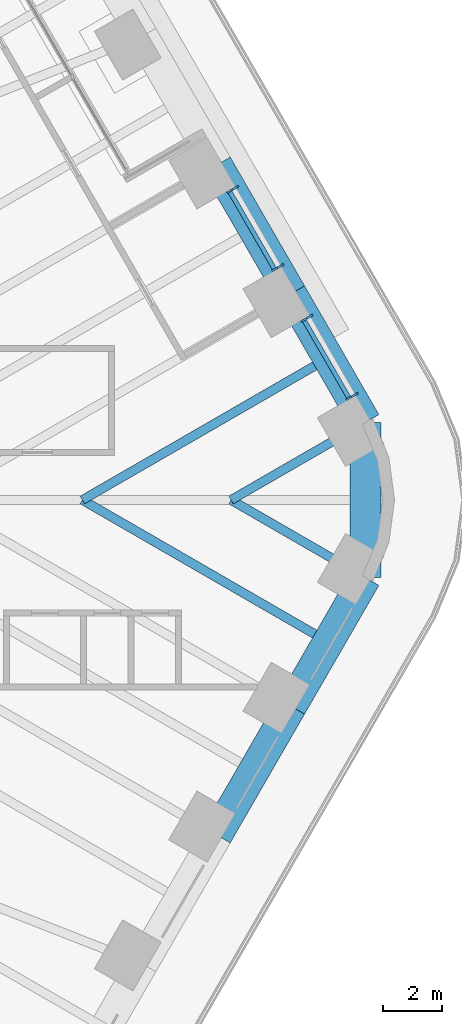
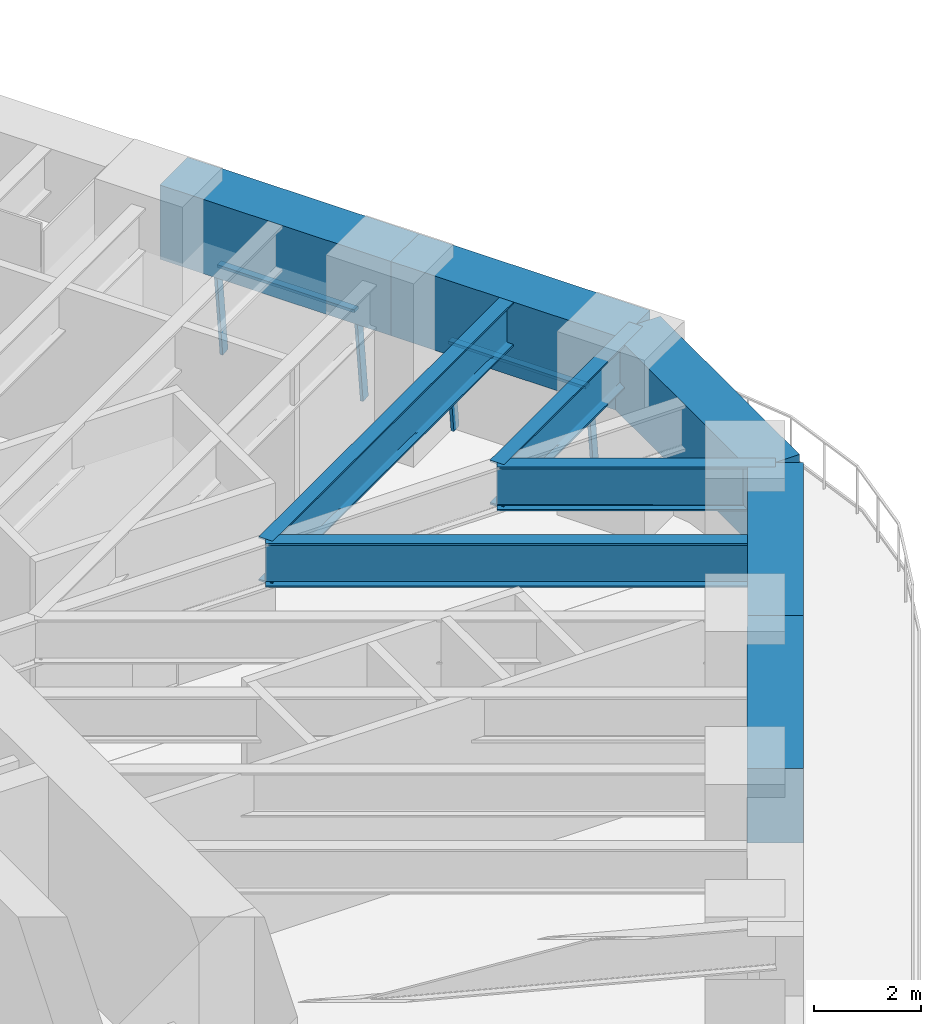
# One storey, part 10 of 19: 9 beams, 6 members, 2 elements without a shape of their own.
"""IFC4 building model written with IfcOpenShell, lengths in metres."""

from ifc_helpers import new_model, si_unit, direction, frame, origin, origin_2d, place, context, subcontext, project, spatial, rectangle, i_section, extrude, material, material_profile, profile_set, type_object, element, aggregate, save


model = new_model("IFC4")

# Units and contexts
model_context = context("Model", 3, precision=1e-05, world=origin(), true_north=direction((0.0, 1.0)))
body_context = subcontext(model_context, "Body", "Model", "MODEL_VIEW")
ifc_project = project(units=[si_unit("LENGTHUNIT", "METRE"), si_unit("AREAUNIT", "SQUARE_METRE"), si_unit("VOLUMEUNIT", "CUBIC_METRE"), si_unit("PLANEANGLEUNIT", "RADIAN"), si_unit("MASSUNIT", "GRAM", prefix="KILO")], contexts=[model_context])

# Site, building, storey
site_placement = place(None, origin())
site = spatial("IfcSite", under=ifc_project, at=site_placement, CompositionType="ELEMENT")
building_placement = place(site_placement, origin())
building = spatial("IfcBuilding", under=site, at=building_placement, Name="Tarfa Lantern Tower", CompositionType="ELEMENT")
storey_placement = place(building_placement, frame((0.0, 0.0, 199.300048828125)))
storey = spatial("IfcBuildingStorey", under=building, at=storey_placement, Name="L45", CompositionType="ELEMENT", Elevation=199.300048828125)

# Curtain wall, members
ifc_material_1 = material(Name="Aluminium framed curtain wall", Category="aluminium")
curtain_wall_type = type_object("IfcCurtainWallType", Name="CW2 CANTED GLAZING MID ZONE 2200", PredefinedType="USERDEFINED", material=ifc_material_1)
curtain_wall_1_placement = place(storey_placement, origin())
curtain_wall_1 = element("IfcCurtainWall", 1, at=curtain_wall_1_placement, inside=storey, type_object=curtain_wall_type, Name="CW2 NE L45", ObjectType="CURTAIN WALL", PredefinedType="USERDEFINED")
ifc_material_2 = material(Name="Aluminium mullion", Category="aluminium")
ifc_material_profile_1 = material_profile(ifc_material_2, rectangle(XDim=0.06494140625, YDim=0.199951171875, at=origin_2d()), Name="AL MULLION 65x200")
ifc_profile_set_1 = profile_set([ifc_material_profile_1], Name="Aluminium mullion")
member_type_1 = type_object("IfcMemberType", Name="CWM1 MULLION 65x200", PredefinedType="MULLION", material=ifc_profile_set_1)
member_1_placement = place(storey_placement, frame((34.20751953125, 3.55078125, 0.0), z_axis=(-0.097805549444, -0.056455965406, 0.993602938033), x_axis=(0.499919672301, -0.866071776036, 0.0)))
member_1 = element("IfcMember", 2, at=member_1_placement, type_object=member_type_1, Name="CW2 mullion 1", PredefinedType="MULLION", context=body_context, shape_type="SweptSolid", body=[
    extrude(rectangle(XDim=0.06494140625, YDim=0.199951171875, at=origin_2d()), origin(), (0.0, 0.0, 1.0), 2.214111328125),
])
member_2_placement = place(storey_placement, frame((32.688232421875, 6.182373046875, 0.0), z_axis=(-0.097805549444, -0.056455965406, 0.993602938033), x_axis=(0.499919672301, -0.866071776036, 0.0)))
member_2 = element("IfcMember", 3, at=member_2_placement, type_object=member_type_1, Name="CW2 mullion 2", PredefinedType="MULLION", context=body_context, shape_type="SweptSolid", body=[
    extrude(rectangle(XDim=0.06494140625, YDim=0.199951171875, at=origin_2d()), origin(), (0.0, 0.0, 1.0), 2.214111328125),
])

curtain_wall_2_placement = place(storey_placement, origin())
curtain_wall_2 = element("IfcCurtainWall", 4, at=curtain_wall_2_placement, inside=storey, type_object=curtain_wall_type, Name="CW2 NE L45", ObjectType="CURTAIN WALL", PredefinedType="USERDEFINED")
member_3_placement = place(storey_placement, frame((31.70556640625, 7.88427734375, 0.0), z_axis=(-0.097696336912, -0.056456573927, 0.99361364776), x_axis=(0.500342721131, -0.865827443207, 0.0)))
member_3 = element("IfcMember", 5, at=member_3_placement, type_object=member_type_1, Name="CW2 mullion 1", PredefinedType="MULLION", context=body_context, shape_type="SweptSolid", body=[
    extrude(rectangle(XDim=0.06494140625, YDim=0.199951171875, at=origin_2d()), origin(), (0.0, 0.0, 1.0), 2.214111328125),
])
member_4_placement = place(storey_placement, frame((30.186279296875, 10.515869140625, 0.0), z_axis=(-0.097805549444, -0.056455965406, 0.993602938033), x_axis=(0.499919672301, -0.866071776036, 0.0)))
member_4 = element("IfcMember", 6, at=member_4_placement, type_object=member_type_1, Name="CW2 mullion 2", PredefinedType="MULLION", context=body_context, shape_type="SweptSolid", body=[
    extrude(rectangle(XDim=0.06494140625, YDim=0.199951171875, at=origin_2d()), origin(), (0.0, 0.0, 1.0), 2.214111328125),
])

# Member
ifc_material_3 = material(Name="Aluminium transom", Category="aluminium")
ifc_material_profile_2 = material_profile(ifc_material_3, rectangle(XDim=0.14990234375, YDim=0.06494140625, at=origin_2d()), Name="AL TRANSOM 150x65")
ifc_profile_set_2 = profile_set([ifc_material_profile_2], Name="Aluminium transom")
member_type_2 = type_object("IfcMemberType", Name="CWT1 TRANSOM 150x65", PredefinedType="USERDEFINED", material=ifc_profile_set_2)
member_5_placement = place(storey_placement, frame((33.97802734375, 3.455810546875, 2.16748046875), z_axis=(-0.499971184285, 0.866042039906, 0.0), x_axis=(-0.866042039906, -0.499971184285, 0.0)))
member_5 = element("IfcMember", 7, at=member_5_placement, type_object=member_type_2, Name="CW2 transom 1.2", ObjectType="TRANSOM", PredefinedType="USERDEFINED", context=body_context, shape_type="SweptSolid", body=[
    extrude(rectangle(XDim=0.14990234375, YDim=0.06494140625, at=origin_2d()), origin(), (0.0, 0.0, 1.0), 2.973876953125),
])

aggregate(curtain_wall_1, [member_1, member_2, member_5])

member_6_placement = place(storey_placement, frame((31.47607421875, 7.789306640625, 2.16748046875), z_axis=(-0.500006734102, 0.866021515814, 0.0), x_axis=(-0.866021515814, -0.500006734102, 0.0)))
member_6 = element("IfcMember", 8, at=member_6_placement, type_object=member_type_2, Name="CW2 transom 1.2", ObjectType="TRANSOM", PredefinedType="USERDEFINED", context=body_context, shape_type="SweptSolid", body=[
    extrude(rectangle(XDim=0.14990234375, YDim=0.06494140625, at=origin_2d()), origin(), (0.0, 0.0, 1.0), 2.9736328125),
])

aggregate(curtain_wall_2, [member_3, member_4, member_6])

# Beams
ifc_material_4 = material(Name="Concrete C80/95", Category="concrete")
ifc_material_profile_3 = material_profile(ifc_material_4, rectangle(XDim=1.050048828125, YDim=1.699951171875, at=origin_2d()), Name="RC 1050x1700")
ifc_profile_set_3 = profile_set([ifc_material_profile_3], Name="Concrete C80/95")
beam_type_1 = type_object("IfcBeamType", Name="RB2 RC 1050x1700", PredefinedType="BEAM", material=ifc_profile_set_3)
for number, where, z_axis, x_axis, name in (
    (9, (34.54296875, 2.610107421875, 3.050048828125), (-0.500022324899, 0.866012514114, 0.0), (-0.866012514114, -0.500022324899, 0.0), "Edge beam NE0"),
    (10, (32.041015625, 6.943359375, 3.050048828125), (-0.500022324899, 0.866012514114, 0.0), (-0.866012514114, -0.500022324899, 0.0), "Edge beam NE1"),
    (11, (29.5390625, -11.276611328125, 3.050048828125), (0.500022324899, 0.866012514114, 0.0), (-0.866012514114, 0.500022324899, 0.0), "Edge beam SE4"),
    (12, (32.041015625, -6.943359375, 3.050048828125), (0.500022324899, 0.866012514114, 0.0), (-0.866012514114, 0.500022324899, 0.0), "Edge beam SE5"),
):
    element("IfcBeam", number, at=place(storey_placement, frame(where, z_axis=z_axis, x_axis=x_axis)), inside=storey, type_object=beam_type_1, Name=name, PredefinedType="BEAM", context=body_context, shape_type="SweptSolid", body=[
        extrude(rectangle(XDim=1.050048828125, YDim=1.699951171875, at=origin_2d()), origin(), (0.0, 0.0, 1.0), 5.003662109375),
    ])
beam_placement = place(storey_placement, frame((34.54296875, -2.610107421875, 3.050048828125), z_axis=(0.0, 1.0, 0.0), x_axis=(-1.0, 0.0, 0.0)))
element("IfcBeam", 13, at=beam_placement, inside=storey, type_object=beam_type_1, Name="Edge beam SE6", PredefinedType="BEAM", context=body_context, shape_type="SweptSolid", body=[
    extrude(rectangle(XDim=1.050048828125, YDim=1.699951171875, at=origin_2d()), origin(), (0.0, 0.0, 1.0), 5.22021484375),
])
ifc_material_5 = material(Name="Steel S460M", Category="steel")
ifc_material_profile_4 = material_profile(ifc_material_5, i_section(OverallWidth=0.302001953125, OverallDepth=1.008056640625, WebThickness=0.02099609375, FlangeThickness=0.0400390625, FilletRadius=0.030029296875, at=origin_2d()), Name="UB1016x305x349")
ifc_profile_set_4 = profile_set([ifc_material_profile_4], Name="Steel S460M")
beam_type_2 = type_object("IfcBeamType", Name="UB1016x305x349", PredefinedType="BEAM", material=ifc_profile_set_4)
for number, where, z_axis, x_axis, name in (
    (14, (34.54296875, 2.610107421875, 3.39599609375), (-0.866021250859, -0.500007193008, 0.0), (0.500007193008, -0.866021250859, 0.0), "Floor beam NE0"),
    (15, (34.54296875, -2.610107421875, 3.39599609375), (-0.866021250859, 0.500007193008, 0.0), (-0.500007193008, -0.866021250859, 0.0), "Floor beam SE6"),
):
    element("IfcBeam", number, at=place(storey_placement, frame(where, z_axis=z_axis, x_axis=x_axis)), inside=storey, type_object=beam_type_2, Name=name, PredefinedType="BEAM", context=body_context, shape_type="SweptSolid", body=[
        extrude(i_section(OverallWidth=0.302001953125, OverallDepth=1.008056640625, WebThickness=0.02099609375, FlangeThickness=0.0400390625, FilletRadius=0.030029296875, at=origin_2d()), origin(), (0.0, 0.0, 1.0), 5.22021484375),
    ])
for number, where, z_axis, x_axis, name in (
    (16, (33.2919921875, 4.776611328125, 3.39599609375), (-0.866028125123, -0.499995286474, 0.0), (0.499995286474, -0.866028125123, 0.0), "Floor beam NE0M"),
    (17, (33.2919921875, -4.776611328125, 3.39599609375), (-0.866028125123, 0.499995286474, 0.0), (-0.499995286474, -0.866028125123, 0.0), "Floor beam SE5M"),
):
    element("IfcBeam", number, at=place(storey_placement, frame(where, z_axis=z_axis, x_axis=x_axis)), inside=storey, type_object=beam_type_2, Name=name, PredefinedType="BEAM", context=body_context, shape_type="SweptSolid", body=[
        extrude(i_section(OverallWidth=0.302001953125, OverallDepth=1.008056640625, WebThickness=0.02099609375, FlangeThickness=0.0400390625, FilletRadius=0.030029296875, at=origin_2d()), origin(), (0.0, 0.0, 1.0), 9.55322265625),
    ])

save(model, "model.ifc")
